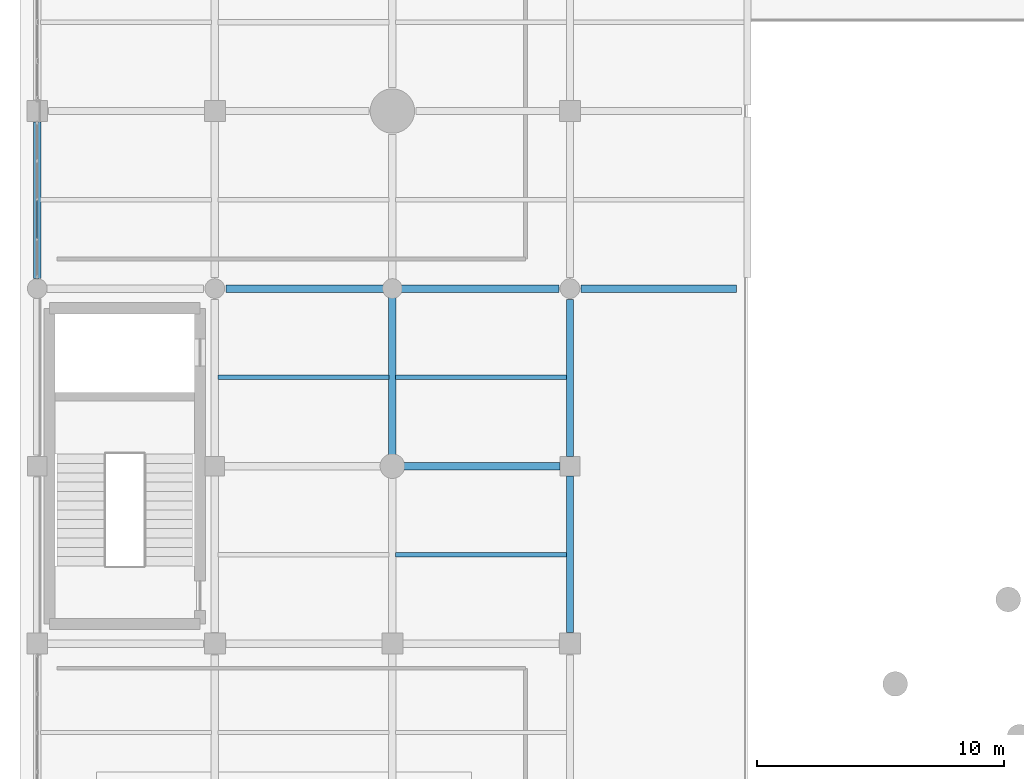
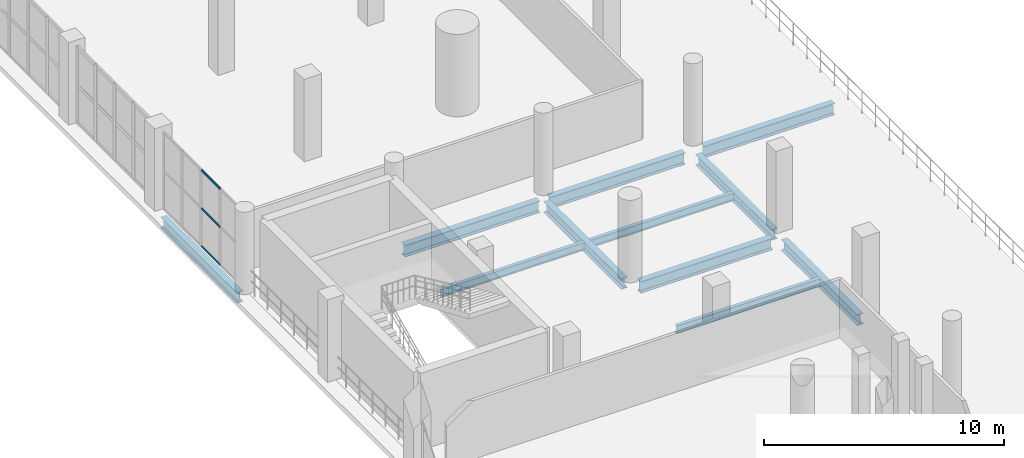
# One storey, part 46 of 153: 11 beams, 3 members, 1 element without a shape of its own.
"""IFC4 building model written with IfcOpenShell, lengths in metres."""

from ifc_helpers import new_model, si_unit, direction, frame, origin, origin_2d, place, context, subcontext, project, spatial, hollow_rectangle, i_section, extrude, material, material_profile, profile_set, type_object, element, aggregate, save


model = new_model("IFC4")

# Units and contexts
model_context = context("Model", 3, precision=1e-05, world=origin(), true_north=direction((0.0, 1.0)))
body_context = subcontext(model_context, "Body", "Model", "MODEL_VIEW")
ifc_project = project(units=[si_unit("LENGTHUNIT", "METRE"), si_unit("AREAUNIT", "SQUARE_METRE"), si_unit("VOLUMEUNIT", "CUBIC_METRE"), si_unit("PLANEANGLEUNIT", "RADIAN"), si_unit("MASSUNIT", "GRAM", prefix="KILO")], contexts=[model_context])

# Site, building, storey
site_placement = place(None, origin())
site = spatial("IfcSite", under=ifc_project, at=site_placement, CompositionType="ELEMENT")
building_placement = place(site_placement, origin())
building = spatial("IfcBuilding", under=site, at=building_placement, Name="Qandorah Velis Arena", CompositionType="ELEMENT")
storey_placement = place(building_placement, frame((0.0, 0.0, 5.39990234375)))
storey = spatial("IfcBuildingStorey", under=building, at=storey_placement, Name="L01", CompositionType="ELEMENT", Elevation=5.39990234375)

# Curtain wall, members
ifc_material_1 = material(Name="Solar-control low-E double glazing", Category="glass")
curtain_wall_type = type_object("IfcCurtainWallType", Name="ARC-CW-SYS08", PredefinedType="USERDEFINED", material=ifc_material_1)
curtain_wall_placement = place(storey_placement, origin())
curtain_wall = element("IfcCurtainWall", 1, at=curtain_wall_placement, inside=storey, type_object=curtain_wall_type, Name="Unitised curtain wall L01-008", ObjectType="UNITISED CURTAIN WALL", PredefinedType="USERDEFINED")
ifc_material_2 = material(Name="Champagne-bronze anodized aluminium 6063-T6", Category="aluminium")
ifc_material_profile_1 = material_profile(ifc_material_2, hollow_rectangle(XDim=0.054931640625, YDim=0.10009765625, WallThickness=0.0029296875, at=origin_2d()), Name="ALU TRANSOM 55x100")
ifc_profile_set_1 = profile_set([ifc_material_profile_1], Name="Champagne-bronze anodized aluminium 6063-T6")
member_type = type_object("IfcMemberType", Name="ARC-CWT-100", PredefinedType="USERDEFINED", material=ifc_profile_set_1)
member_1_placement = place(storey_placement, frame((0.0, 95.621826171875, 0.027587890625), z_axis=(0.0, 1.0, 0.0), x_axis=(-1.0, 0.0, 0.0)))
member_1 = element("IfcMember", 2, at=member_1_placement, type_object=member_type, Name="CW08 transom 2.1", ObjectType="TRANSOM", PredefinedType="USERDEFINED", context=body_context, shape_type="SweptSolid", body=[
    extrude(hollow_rectangle(XDim=0.054931640625, YDim=0.10009765625, WallThickness=0.0029296875, at=origin_2d()), origin(), (0.0, 0.0, 1.0), 1.55029296875),
])
member_2_placement = place(storey_placement, frame((0.0, 95.621826171875, 1.960205078125), z_axis=(0.0, 1.0, 0.0), x_axis=(-1.0, 0.0, 0.0)))
member_2 = element("IfcMember", 3, at=member_2_placement, type_object=member_type, Name="CW08 transom 2.2", ObjectType="TRANSOM", PredefinedType="USERDEFINED", context=body_context, shape_type="SweptSolid", body=[
    extrude(hollow_rectangle(XDim=0.054931640625, YDim=0.10009765625, WallThickness=0.0029296875, at=origin_2d()), origin(), (0.0, 0.0, 1.0), 1.55029296875),
])
member_3_placement = place(storey_placement, frame((0.0, 95.621826171875, 3.892578125), z_axis=(0.0, 1.0, 0.0), x_axis=(-1.0, 0.0, 0.0)))
member_3 = element("IfcMember", 4, at=member_3_placement, type_object=member_type, Name="CW08 transom 2.3", ObjectType="TRANSOM", PredefinedType="USERDEFINED", context=body_context, shape_type="SweptSolid", body=[
    extrude(hollow_rectangle(XDim=0.054931640625, YDim=0.10009765625, WallThickness=0.0029296875, at=origin_2d()), origin(), (0.0, 0.0, 1.0), 1.55029296875),
])
aggregate(curtain_wall, [member_1, member_2, member_3])

# Beams
ifc_material_3 = material(Name="Steel S355", Category="steel")
ifc_material_profile_2 = material_profile(ifc_material_3, i_section(OverallWidth=0.300048828125, OverallDepth=0.550048828125, WebThickness=0.014892578125, FlangeThickness=0.029052734375, FilletRadius=0.027099609375, at=origin_2d()), Name="HEB 550")
ifc_profile_set_2 = profile_set([ifc_material_profile_2], Name="Steel S355")
beam_type_1 = type_object("IfcBeamType", Name="STR-BM-HEB550", PredefinedType="BEAM", material=ifc_profile_set_2)
beam_1_placement = place(storey_placement, frame((0.0, 94.0, -0.635009765625), z_axis=(0.0, 1.0, 0.0), x_axis=(-1.0, 0.0, 0.0)))
element("IfcBeam", 5, at=beam_1_placement, inside=storey, type_object=beam_type_1, Name="Primary floor girder L01 Y-233", PredefinedType="BEAM", context=body_context, shape_type="SweptSolid", body=[
    extrude(i_section(OverallWidth=0.300048828125, OverallDepth=0.550048828125, WebThickness=0.014892578125, FlangeThickness=0.029052734375, FilletRadius=0.027099609375, at=origin_2d()), origin(), (0.0, 0.0, 1.0), 6.35009765625),
])
beam_2_placement = place(storey_placement, frame((14.39990234375, 86.85009765625, -0.635009765625), z_axis=(0.0, 1.0, 0.0), x_axis=(-1.0, 0.0, 0.0)))
element("IfcBeam", 6, at=beam_2_placement, inside=storey, type_object=beam_type_1, Name="Primary floor girder L01 Y-268", PredefinedType="BEAM", context=body_context, shape_type="SweptSolid", body=[
    extrude(i_section(OverallWidth=0.300048828125, OverallDepth=0.550048828125, WebThickness=0.014892578125, FlangeThickness=0.029052734375, FilletRadius=0.027099609375, at=origin_2d()), origin(), (0.0, 0.0, 1.0), 6.5),
])
beam_3_placement = place(storey_placement, frame((21.60009765625, 79.64990234375, -0.635009765625), z_axis=(0.0, 1.0, 0.0), x_axis=(-1.0, 0.0, 0.0)))
element("IfcBeam", 7, at=beam_3_placement, inside=storey, type_object=beam_type_1, Name="Primary floor girder L01 Y-285", PredefinedType="BEAM", context=body_context, shape_type="SweptSolid", body=[
    extrude(i_section(OverallWidth=0.300048828125, OverallDepth=0.550048828125, WebThickness=0.014892578125, FlangeThickness=0.029052734375, FilletRadius=0.027099609375, at=origin_2d()), origin(), (0.0, 0.0, 1.0), 6.35009765625),
])
beam_4_placement = place(storey_placement, frame((21.60009765625, 86.800048828125, -0.635009765625), z_axis=(0.0, 1.0, 0.0), x_axis=(-1.0, 0.0, 0.0)))
element("IfcBeam", 8, at=beam_4_placement, inside=storey, type_object=beam_type_1, Name="Primary floor girder L01 Y-286", PredefinedType="BEAM", context=body_context, shape_type="SweptSolid", body=[
    extrude(i_section(OverallWidth=0.300048828125, OverallDepth=0.550048828125, WebThickness=0.014892578125, FlangeThickness=0.029052734375, FilletRadius=0.027099609375, at=origin_2d()), origin(), (0.0, 0.0, 1.0), 6.349853515625),
])
ifc_material_profile_3 = material_profile(ifc_material_3, i_section(OverallWidth=0.300048828125, OverallDepth=0.60009765625, WebThickness=0.015380859375, FlangeThickness=0.030029296875, FilletRadius=0.027099609375, at=origin_2d()), Name="HEB 600")
ifc_profile_set_3 = profile_set([ifc_material_profile_3], Name="Steel S355")
beam_type_2 = type_object("IfcBeamType", Name="STR-BM-HEB600", PredefinedType="BEAM", material=ifc_profile_set_3)
beam_5_placement = place(storey_placement, frame((14.85009765625, 86.39990234375, -0.659912109375), z_axis=(1.0, 0.0, 0.0), x_axis=(0.0, 1.0, 0.0)))
element("IfcBeam", 9, at=beam_5_placement, inside=storey, type_object=beam_type_2, Name="Primary floor girder L01 X-131", PredefinedType="BEAM", context=body_context, shape_type="SweptSolid", body=[
    extrude(i_section(OverallWidth=0.300048828125, OverallDepth=0.60009765625, WebThickness=0.015380859375, FlangeThickness=0.030029296875, FilletRadius=0.027099609375, at=origin_2d()), origin(), (0.0, 0.0, 1.0), 6.349853515625),
])
for number, where, z_axis, x_axis, name in (
    (10, (7.64990234375, 93.60009765625, -0.659912109375), (1.0, 0.0, 0.0), (0.0, 1.0, 0.0), "Primary floor girder L01 X-138"),
    (11, (14.64990234375, 93.60009765625, -0.659912109375), (1.0, 0.0, 0.0), (0.0, 1.0, 0.0), "Primary floor girder L01 X-139"),
):
    element("IfcBeam", number, at=place(storey_placement, frame(where, z_axis=z_axis, x_axis=x_axis)), inside=storey, type_object=beam_type_2, Name=name, PredefinedType="BEAM", context=body_context, shape_type="SweptSolid", body=[
        extrude(i_section(OverallWidth=0.300048828125, OverallDepth=0.60009765625, WebThickness=0.015380859375, FlangeThickness=0.030029296875, FilletRadius=0.027099609375, at=origin_2d()), origin(), (0.0, 0.0, 1.0), 6.5),
    ])
beam_6_placement = place(storey_placement, frame((22.050048828125, 93.60009765625, -0.659912109375), z_axis=(1.0, 0.0, 0.0), x_axis=(0.0, 1.0, 0.0)))
element("IfcBeam", 12, at=beam_6_placement, inside=storey, type_object=beam_type_2, Name="Primary floor girder L01 X-140", PredefinedType="BEAM", context=body_context, shape_type="SweptSolid", body=[
    extrude(i_section(OverallWidth=0.300048828125, OverallDepth=0.60009765625, WebThickness=0.015380859375, FlangeThickness=0.030029296875, FilletRadius=0.027099609375, at=origin_2d()), origin(), (0.0, 0.0, 1.0), 6.300048828125),
])
ifc_material_profile_4 = material_profile(ifc_material_3, i_section(OverallWidth=0.179931640625, OverallDepth=0.39990234375, WebThickness=0.008544921875, FlangeThickness=0.013427734375, FilletRadius=0.02099609375, at=origin_2d()), Name="IPE 400")
ifc_profile_set_4 = profile_set([ifc_material_profile_4], Name="Steel S355")
beam_type_3 = type_object("IfcBeamType", Name="STR-JST-IPE400", PredefinedType="JOIST", material=ifc_profile_set_4)
beam_7_placement = place(storey_placement, frame((7.3349609375, 90.0, -0.559814453125), z_axis=(1.0, 0.0, 0.0), x_axis=(0.0, 1.0, 0.0)))
element("IfcBeam", 13, at=beam_7_placement, inside=storey, type_object=beam_type_3, Name="Secondary floor joist L01-027", PredefinedType="JOIST", context=body_context, shape_type="SweptSolid", body=[
    extrude(i_section(OverallWidth=0.179931640625, OverallDepth=0.39990234375, WebThickness=0.008544921875, FlangeThickness=0.013427734375, FilletRadius=0.02099609375, at=origin_2d()), origin(), (0.0, 0.0, 1.0), 6.929931640625),
])
for number, where, z_axis, x_axis, name in (
    (14, (14.534912109375, 82.800048828125, -0.559814453125), (1.0, 0.0, 0.0), (0.0, 1.0, 0.0), "Secondary floor joist L01-044"),
    (15, (14.534912109375, 90.0, -0.559814453125), (1.0, 0.0, 0.0), (0.0, 1.0, 0.0), "Secondary floor joist L01-045"),
):
    element("IfcBeam", number, at=place(storey_placement, frame(where, z_axis=z_axis, x_axis=x_axis)), inside=storey, type_object=beam_type_3, Name=name, PredefinedType="JOIST", context=body_context, shape_type="SweptSolid", body=[
        extrude(i_section(OverallWidth=0.179931640625, OverallDepth=0.39990234375, WebThickness=0.008544921875, FlangeThickness=0.013427734375, FilletRadius=0.02099609375, at=origin_2d()), origin(), (0.0, 0.0, 1.0), 6.93017578125),
    ])

save(model, "model.ifc")
